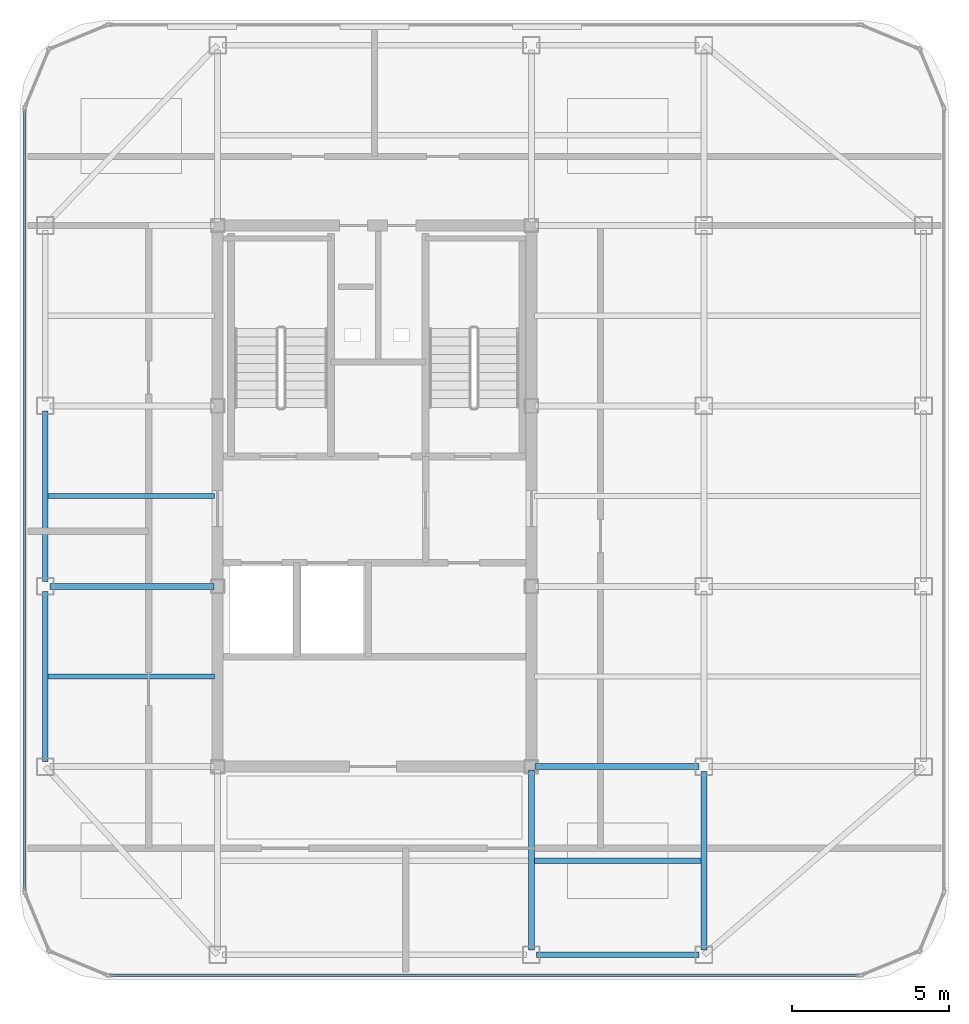
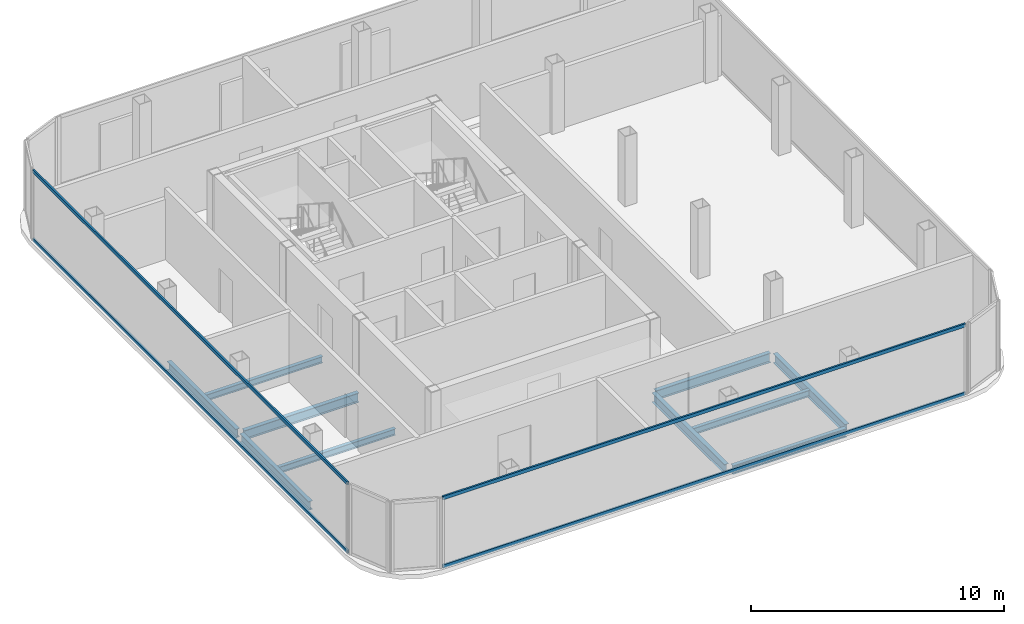
# One storey, part 3 of 11: 10 beams, 4 members, 2 elements without a shape of their own.
"""IFC4 building model written with IfcOpenShell, lengths in metres."""

from ifc_helpers import new_model, si_unit, direction, frame, origin, origin_2d, place, context, subcontext, project, spatial, hollow_rectangle, i_section, extrude, source, transform, mapped, material, layer, layer_set, material_profile, profile_set, type_object, element, aggregate, save


model = new_model("IFC4")

# Units and contexts
model_context = context("Model", 3, precision=1e-05, world=origin(), true_north=direction((0.0, 1.0)))
body_context = subcontext(model_context, "Body", "Model", "MODEL_VIEW")
ifc_project = project(units=[si_unit("LENGTHUNIT", "METRE"), si_unit("AREAUNIT", "SQUARE_METRE"), si_unit("VOLUMEUNIT", "CUBIC_METRE"), si_unit("PLANEANGLEUNIT", "RADIAN"), si_unit("MASSUNIT", "GRAM", prefix="KILO")], contexts=[model_context])

# Site, building, storey
site_placement = place(None, origin())
site = spatial("IfcSite", under=ifc_project, at=site_placement, CompositionType="ELEMENT")
building_placement = place(site_placement, origin())
building = spatial("IfcBuilding", under=site, at=building_placement, Name="Kolveth Station Tower", CompositionType="ELEMENT")
storey_placement = place(building_placement, frame((0.0, 0.0, 282.10009765625)))
storey = spatial("IfcBuildingStorey", under=building, at=storey_placement, Name="L81", CompositionType="ELEMENT", Elevation=282.10009765625)

# Beams
ifc_material_1 = material(Name="Steel S355", Category="steel")
ifc_material_profile_1 = material_profile(ifc_material_1, i_section(OverallWidth=0.180908203125, OverallDepth=0.4169921875, WebThickness=0.010986328125, FlangeThickness=0.018310546875, at=origin_2d()), Name="W410x85")
ifc_profile_set_1 = profile_set([ifc_material_profile_1], Name="Steel S355")
beam_type_1 = type_object("IfcBeamType", Name="Beam_B8", PredefinedType="BEAM", material=ifc_profile_set_1)
shared_shape_1 = source(origin(), body_context, "Body", "SweptSolid", [
    extrude(i_section(OverallWidth=0.180908203125, OverallDepth=0.4169921875, WebThickness=0.010986328125, FlangeThickness=0.018310546875, at=origin_2d()), origin(), (0.0, 0.0, 1.0), 5.18017578125),
])
beam_1_placement = place(storey_placement, frame((28.659912109375, 5.5, -0.4287109375), z_axis=(1.0, 0.0, 0.0), x_axis=(0.0, 1.0, 0.0)))
element("IfcBeam", 1, at=beam_1_placement, inside=storey, type_object=beam_type_1, Name="L81 Perimeter Spandrel BM-L81-PS-2", PredefinedType="BEAM", context=body_context, shape_type="MappedRepresentation", body=[
    mapped(shared_shape_1, transform((0.0, 0.0, 0.0), x_axis=(1.0, 0.0, 0.0), y_axis=(0.0, 1.0, 0.0), z_axis=(0.0, 0.0, 1.0), scale=1.0)),
])
shared_shape_2 = source(origin(), body_context, "Body", "SweptSolid", [
    extrude(i_section(OverallWidth=0.180908203125, OverallDepth=0.4169921875, WebThickness=0.010986328125, FlangeThickness=0.018310546875, at=origin_2d()), origin(), (0.0, 0.0, 1.0), 5.43017578125),
])
for number, where, z_axis, x_axis, name in (
    (2, (13.0, 11.659912109375, -0.4287109375), (0.0, 1.0, 0.0), (-1.0, 0.0, 0.0), "L81 Perimeter Spandrel BM-L81-PW-1"),
    (3, (13.0, 17.409912109375, -0.4287109375), (0.0, 1.0, 0.0), (-1.0, 0.0, 0.0), "L81 Perimeter Spandrel BM-L81-PW-2"),
):
    element("IfcBeam", number, at=place(storey_placement, frame(where, z_axis=z_axis, x_axis=x_axis)), inside=storey, type_object=beam_type_1, Name=name, PredefinedType="BEAM", context=body_context, shape_type="MappedRepresentation", body=[
        mapped(shared_shape_2, transform((0.0, 0.0, 0.0), x_axis=(1.0, 0.0, 0.0), y_axis=(0.0, 1.0, 0.0), z_axis=(0.0, 0.0, 1.0), scale=1.0)),
    ])
ifc_material_profile_2 = material_profile(ifc_material_1, i_section(OverallWidth=0.19091796875, OverallDepth=0.4599609375, WebThickness=0.010009765625, FlangeThickness=0.01611328125, at=origin_2d()), Name="W460x82")
ifc_profile_set_2 = profile_set([ifc_material_profile_2], Name="Steel S355")
beam_type_2 = type_object("IfcBeamType", Name="Beam_B7", PredefinedType="BEAM", material=ifc_profile_set_2)
shared_shape_3 = source(origin(), body_context, "Body", "SweptSolid", [
    extrude(i_section(OverallWidth=0.19091796875, OverallDepth=0.4599609375, WebThickness=0.010009765625, FlangeThickness=0.01611328125, at=origin_2d()), origin(), (0.0, 0.0, 1.0), 5.22998046875),
])
for number, where, z_axis, x_axis, name in (
    (4, (28.610107421875, 11.5, -0.4501953125), (1.0, 0.0, 0.0), (0.0, 1.0, 0.0), "L81 Primary Girder BM-L81-GY115-3"),
    (5, (13.159912109375, 17.25, -0.4501953125), (1.0, 0.0, 0.0), (0.0, 1.0, 0.0), "L81 Primary Girder BM-L81-GY172-1"),
):
    element("IfcBeam", number, at=place(storey_placement, frame(where, z_axis=z_axis, x_axis=x_axis)), inside=storey, type_object=beam_type_2, Name=name, PredefinedType="BEAM", context=body_context, shape_type="MappedRepresentation", body=[
        mapped(shared_shape_3, transform((0.0, 0.0, 0.0), x_axis=(1.0, 0.0, 0.0), y_axis=(0.0, 1.0, 0.0), z_axis=(0.0, 0.0, 1.0), scale=1.0)),
    ])
shared_shape_4 = source(origin(), body_context, "Body", "SweptSolid", [
    extrude(i_section(OverallWidth=0.19091796875, OverallDepth=0.4599609375, WebThickness=0.010009765625, FlangeThickness=0.01611328125, at=origin_2d()), origin(), (0.0, 0.0, 1.0), 5.68017578125),
])
beam_2_placement = place(storey_placement, frame((34.0, 5.659912109375, -0.4501953125), z_axis=(0.0, 1.0, 0.0), x_axis=(-1.0, 0.0, 0.0)))
element("IfcBeam", 6, at=beam_2_placement, inside=storey, type_object=beam_type_2, Name="L81 Primary Girder BM-L81-GX340-1", PredefinedType="BEAM", context=body_context, shape_type="MappedRepresentation", body=[
    mapped(shared_shape_4, transform((0.0, 0.0, 0.0), x_axis=(1.0, 0.0, 0.0), y_axis=(0.0, 1.0, 0.0), z_axis=(0.0, 0.0, 1.0), scale=1.0)),
])
shared_shape_5 = source(origin(), body_context, "Body", "SweptSolid", [
    extrude(i_section(OverallWidth=0.19091796875, OverallDepth=0.4599609375, WebThickness=0.010009765625, FlangeThickness=0.01611328125, at=origin_2d()), origin(), (0.0, 0.0, 1.0), 5.72998046875),
])
beam_3_placement = place(storey_placement, frame((28.5, 5.659912109375, -0.4501953125), z_axis=(0.0, 1.0, 0.0), x_axis=(-1.0, 0.0, 0.0)))
element("IfcBeam", 7, at=beam_3_placement, inside=storey, type_object=beam_type_2, Name="L81 Primary Girder BM-L81-GX285-1", PredefinedType="BEAM", context=body_context, shape_type="MappedRepresentation", body=[
    mapped(shared_shape_5, transform((0.0, 0.0, 0.0), x_axis=(1.0, 0.0, 0.0), y_axis=(0.0, 1.0, 0.0), z_axis=(0.0, 0.0, 1.0), scale=1.0)),
])
ifc_material_profile_3 = material_profile(ifc_material_1, i_section(OverallWidth=0.1650390625, OverallDepth=0.31005859375, WebThickness=0.005859375, FlangeThickness=0.009765625, at=origin_2d()), Name="W310x39")
ifc_profile_set_3 = profile_set([ifc_material_profile_3], Name="Steel S355")
beam_type_3 = type_object("IfcBeamType", Name="Beam_J3", PredefinedType="JOIST", material=ifc_profile_set_3)
shared_shape_6 = source(origin(), body_context, "Body", "SweptSolid", [
    extrude(i_section(OverallWidth=0.1650390625, OverallDepth=0.31005859375, WebThickness=0.005859375, FlangeThickness=0.009765625, at=origin_2d()), origin(), (0.0, 0.0, 1.0), 5.31298828125),
])
beam_4_placement = place(storey_placement, frame((28.593505859375, 8.5, -0.375), z_axis=(1.0, 0.0, 0.0), x_axis=(0.0, 1.0, 0.0)))
element("IfcBeam", 8, at=beam_4_placement, inside=storey, type_object=beam_type_3, Name="L81 Secondary Joist JST-L81-3-1", PredefinedType="JOIST", context=body_context, shape_type="MappedRepresentation", body=[
    mapped(shared_shape_6, transform((0.0, 0.0, 0.0), x_axis=(1.0, 0.0, 0.0), y_axis=(0.0, 1.0, 0.0), z_axis=(0.0, 0.0, 1.0), scale=1.0)),
])
shared_shape_7 = source(origin(), body_context, "Body", "SweptSolid", [
    extrude(i_section(OverallWidth=0.1650390625, OverallDepth=0.31005859375, WebThickness=0.005859375, FlangeThickness=0.009765625, at=origin_2d()), origin(), (0.0, 0.0, 1.0), 5.318115234375),
])
for number, where, z_axis, x_axis, name in (
    (9, (13.08837890625, 14.375, -0.375), (1.0, 0.0, 0.0), (0.0, 1.0, 0.0), "L81 Secondary Joist JST-L81-1-2"),
    (10, (13.08837890625, 20.125, -0.375), (1.0, 0.0, 0.0), (0.0, 1.0, 0.0), "L81 Secondary Joist JST-L81-1-3"),
):
    element("IfcBeam", number, at=place(storey_placement, frame(where, z_axis=z_axis, x_axis=x_axis)), inside=storey, type_object=beam_type_3, Name=name, PredefinedType="JOIST", context=body_context, shape_type="MappedRepresentation", body=[
        mapped(shared_shape_7, transform((0.0, 0.0, 0.0), x_axis=(1.0, 0.0, 0.0), y_axis=(0.0, 1.0, 0.0), z_axis=(0.0, 0.0, 1.0), scale=1.0)),
    ])

# Curtain wall, members
ifc_material_2 = material(Name="Black anodized aluminium 6063-T6 and dark crown glass", Category="aluminium")
ifc_layer = layer(ifc_material_2, 0.169921875)
ifc_layer_set = layer_set([ifc_layer], Name="Black anodized aluminium 6063-T6 and dark crown glass")
curtain_wall_type = type_object("IfcCurtainWallType", Name="CurtainWall_CW-CR", PredefinedType="NOTDEFINED", material=ifc_layer_set)
curtain_wall_1_placement = place(storey_placement, origin())
curtain_wall_1 = element("IfcCurtainWall", 11, at=curtain_wall_1_placement, inside=storey, type_object=curtain_wall_type, Name="L81 Stepped Crown Curtain Wall 9", PredefinedType="NOTDEFINED")
ifc_material_3 = material(Name="Black anodized aluminium 6063-T6", Category="aluminium")
ifc_material_profile_4 = material_profile(ifc_material_3, hollow_rectangle(XDim=0.080078125, YDim=0.1650390625, WallThickness=0.0048828125, at=origin_2d()), Name="ALU-80x165x5")
ifc_profile_set_4 = profile_set([ifc_material_profile_4], Name="Black anodized aluminium 6063-T6")
member_type = type_object("IfcMemberType", Name="Transom_TR-CR", PredefinedType="USERDEFINED", material=ifc_profile_set_4)
shared_shape_8 = source(origin(), body_context, "Body", "SweptSolid", [
    extrude(hollow_rectangle(XDim=0.080078125, YDim=0.1650390625, WallThickness=0.0048828125, at=origin_2d()), origin(), (0.0, 0.0, 1.0), 24.830078125),
])
member_1_placement = place(storey_placement, frame((12.35009765625, 32.4150390625, 0.039794921875), z_axis=(0.0, -1.0, 0.0), x_axis=(1.0, 0.0, 0.0)))
member_1 = element("IfcMember", 12, at=member_1_placement, type_object=member_type, Name="CW-CR transom 1.1", ObjectType="TRANSOM", PredefinedType="USERDEFINED", context=body_context, shape_type="MappedRepresentation", body=[
    mapped(shared_shape_8, transform((0.0, 0.0, 0.0), x_axis=(1.0, 0.0, 0.0), y_axis=(0.0, 1.0, 0.0), z_axis=(0.0, 0.0, 1.0), scale=1.0)),
])
member_2_placement = place(storey_placement, frame((12.35009765625, 32.4150390625, 3.33984375), z_axis=(0.0, -1.0, 0.0), x_axis=(1.0, 0.0, 0.0)))
member_2 = element("IfcMember", 13, at=member_2_placement, type_object=member_type, Name="CW-CR transom 1.2", ObjectType="TRANSOM", PredefinedType="USERDEFINED", context=body_context, shape_type="MappedRepresentation", body=[
    mapped(shared_shape_8, transform((0.0, 0.0, 0.0), x_axis=(1.0, 0.0, 0.0), y_axis=(0.0, 1.0, 0.0), z_axis=(0.0, 0.0, 1.0), scale=1.0)),
])
aggregate(curtain_wall_1, [member_1, member_2])

curtain_wall_2_placement = place(storey_placement, origin())
curtain_wall_2 = element("IfcCurtainWall", 14, at=curtain_wall_2_placement, inside=storey, type_object=curtain_wall_type, Name="L81 Stepped Crown Curtain Wall 12", PredefinedType="NOTDEFINED")
shared_shape_9 = source(origin(), body_context, "Body", "SweptSolid", [
    extrude(hollow_rectangle(XDim=0.080078125, YDim=0.1650390625, WallThickness=0.0048828125, at=origin_2d()), origin(), (0.0, 0.0, 1.0), 23.830078125),
])
member_3_placement = place(storey_placement, frame((15.0849609375, 4.85009765625, 0.039794921875), z_axis=(1.0, 0.0, 0.0), x_axis=(0.0, 1.0, 0.0)))
member_3 = element("IfcMember", 15, at=member_3_placement, type_object=member_type, Name="CW-CR transom 1.1", ObjectType="TRANSOM", PredefinedType="USERDEFINED", context=body_context, shape_type="MappedRepresentation", body=[
    mapped(shared_shape_9, transform((0.0, 0.0, 0.0), x_axis=(1.0, 0.0, 0.0), y_axis=(0.0, 1.0, 0.0), z_axis=(0.0, 0.0, 1.0), scale=1.0)),
])
member_4_placement = place(storey_placement, frame((15.0849609375, 4.85009765625, 3.33984375), z_axis=(1.0, 0.0, 0.0), x_axis=(0.0, 1.0, 0.0)))
member_4 = element("IfcMember", 16, at=member_4_placement, type_object=member_type, Name="CW-CR transom 1.2", ObjectType="TRANSOM", PredefinedType="USERDEFINED", context=body_context, shape_type="MappedRepresentation", body=[
    mapped(shared_shape_9, transform((0.0, 0.0, 0.0), x_axis=(1.0, 0.0, 0.0), y_axis=(0.0, 1.0, 0.0), z_axis=(0.0, 0.0, 1.0), scale=1.0)),
])
aggregate(curtain_wall_2, [member_3, member_4])

save(model, "model.ifc")
